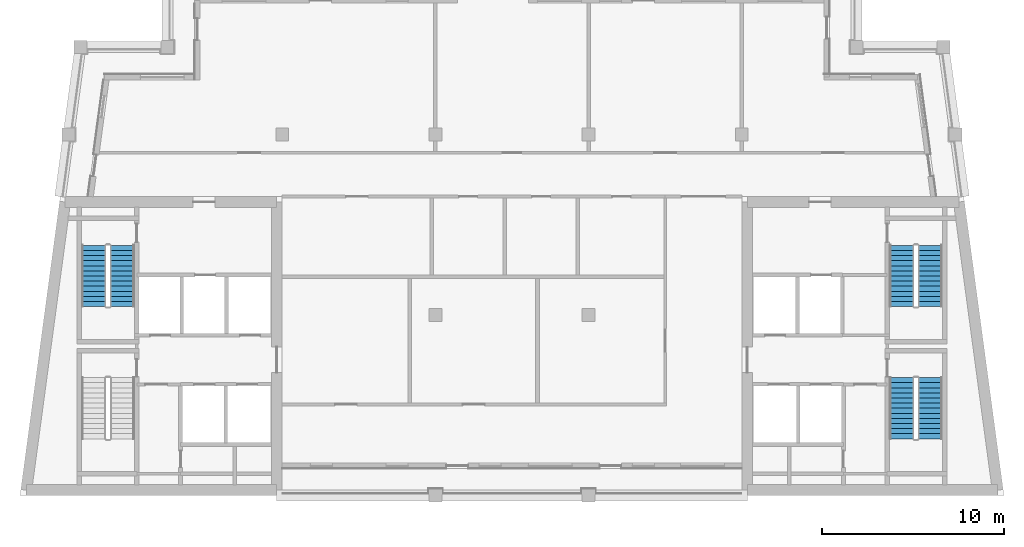
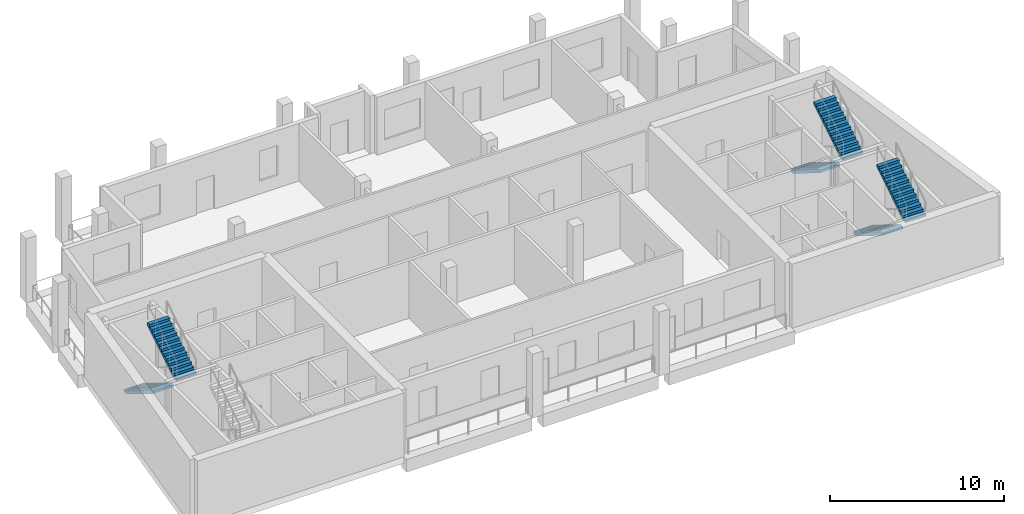
# One storey, part 5 of 8: 6 stair flights, 3 elements without a shape of their own.
"""IFC4 building model written with IfcOpenShell, lengths in metres."""

from ifc_helpers import new_model, si_unit, direction, frame, origin, place, context, subcontext, project, spatial, polyline, outline, extrude, material, type_object, element, aggregate, save


model = new_model("IFC4")

# Units and contexts
model_context = context("Model", 3, precision=1e-05, world=origin(), true_north=direction((0.0, 1.0)))
body_context = subcontext(model_context, "Body", "Model", "MODEL_VIEW")
ifc_project = project(units=[si_unit("LENGTHUNIT", "METRE"), si_unit("AREAUNIT", "SQUARE_METRE"), si_unit("VOLUMEUNIT", "CUBIC_METRE"), si_unit("PLANEANGLEUNIT", "RADIAN"), si_unit("MASSUNIT", "GRAM", prefix="KILO")], contexts=[model_context])

# Site, building, storey
site_placement = place(None, origin())
site = spatial("IfcSite", under=ifc_project, at=site_placement, CompositionType="ELEMENT")
building_placement = place(site_placement, origin())
building = spatial("IfcBuilding", under=site, at=building_placement, Name="Candeia Pilgrim Tower and Theatre", CompositionType="ELEMENT")
storey_placement = place(building_placement, frame((0.0, 0.0, 315.39990234375)))
storey = spatial("IfcBuildingStorey", under=building, at=storey_placement, Name="L76", CompositionType="ELEMENT", Elevation=315.39990234375)

# Stair, stair flights
ifc_material = material(Name="Concrete C40/50", Category="concrete")
stair_type = type_object("IfcStairType", Name="ST-TWR dog-leg escape stair", PredefinedType="HALF_TURN_STAIR", material=ifc_material)
stair_1_placement = place(storey_placement, origin())
stair_1 = element("IfcStair", 1, at=stair_1_placement, inside=storey, type_object=stair_type, Name="L76 Escape stair ST2", PredefinedType="HALF_TURN_STAIR")
stair_flight_type = type_object("IfcStairFlightType", Name="SFL-RC stair flight", PredefinedType="STRAIGHT", material=ifc_material)
stair_flight_1_placement = place(storey_placement, frame((90.47705078125, 129.72509765625, 0.0), z_axis=(0.0, 0.0, 1.0), x_axis=(0.0, -1.0, 0.0)))
stair_flight_1 = element("IfcStairFlight", 2, at=stair_flight_1_placement, type_object=stair_flight_type, Name="ST2 flight 1", NumberOfRisers=13, NumberOfTreads=12, PredefinedType="STRAIGHT", RiserHeight=0.173076923, TreadLength=0.28, context=body_context, shape_type="SweptSolid", body=[
    extrude(outline(polyline([(0.0, 0.0), (0.0, 0.173095703125), (0.280029296875, 0.173095703125), (0.280029296875, 0.34619140625), (0.56005859375, 0.34619140625), (0.56005859375, 0.519287109375), (0.840087890625, 0.519287109375), (0.840087890625, 0.6923828125), (1.1201171875, 0.6923828125), (1.1201171875, 0.865478515625), (1.39990234375, 0.865478515625), (1.39990234375, 1.03857421875), (1.679931640625, 1.03857421875), (1.679931640625, 1.21142578125), (1.9599609375, 1.21142578125), (1.9599609375, 1.384521484375), (2.239990234375, 1.384521484375), (2.239990234375, 1.5576171875), (2.52001953125, 1.5576171875), (2.52001953125, 1.730712890625), (2.800048828125, 1.730712890625), (2.800048828125, 1.90380859375), (3.080078125, 1.90380859375), (3.080078125, 2.076904296875), (3.360107421875, 2.076904296875), (3.360107421875, 2.25), (3.360107421875, 1.900634765625), (0.28515625, 0.0), (0.0, 0.0)])), frame((0.0, 0.675048828125, 0.0), z_axis=(0.0, -1.0, 0.0), x_axis=(1.0, 0.0, 0.0)), (0.0, 0.0, 1.0), 1.35009765625),
])
stair_flight_2_placement = place(storey_placement, frame((92.027099609375, 126.364990234375, 2.25), z_axis=(0.0, 0.0, 1.0), x_axis=(0.0, 1.0, 0.0)))
stair_flight_2 = element("IfcStairFlight", 3, at=stair_flight_2_placement, type_object=stair_flight_type, Name="ST2 flight 2", NumberOfRisers=13, NumberOfTreads=12, PredefinedType="STRAIGHT", RiserHeight=0.173076923, TreadLength=0.28, context=body_context, shape_type="SweptSolid", body=[
    extrude(outline(polyline([(0.0, 0.0), (0.0, 0.173095703125), (0.280029296875, 0.173095703125), (0.280029296875, 0.34619140625), (0.56005859375, 0.34619140625), (0.56005859375, 0.519287109375), (0.840087890625, 0.519287109375), (0.840087890625, 0.6923828125), (1.1201171875, 0.6923828125), (1.1201171875, 0.865478515625), (1.39990234375, 0.865478515625), (1.39990234375, 1.03857421875), (1.679931640625, 1.03857421875), (1.679931640625, 1.21142578125), (1.9599609375, 1.21142578125), (1.9599609375, 1.384521484375), (2.239990234375, 1.384521484375), (2.239990234375, 1.5576171875), (2.52001953125, 1.5576171875), (2.52001953125, 1.730712890625), (2.800048828125, 1.730712890625), (2.800048828125, 1.90380859375), (3.080078125, 1.90380859375), (3.080078125, 2.076904296875), (3.360107421875, 2.076904296875), (3.360107421875, 2.25), (3.360107421875, 1.900634765625), (0.28515625, 0.0), (0.0, 0.0)])), frame((0.0, 0.675048828125, 0.0), z_axis=(0.0, -1.0, 0.0), x_axis=(1.0, 0.0, 0.0)), (0.0, 0.0, 1.0), 1.35009765625),
])
aggregate(stair_1, [stair_flight_1, stair_flight_2])

stair_2_placement = place(storey_placement, origin())
stair_2 = element("IfcStair", 4, at=stair_2_placement, inside=storey, type_object=stair_type, Name="L76 Escape stair ST3", PredefinedType="HALF_TURN_STAIR")
stair_flight_3_placement = place(storey_placement, frame((134.77294921875, 122.47509765625, 0.0), z_axis=(0.0, 0.0, 1.0), x_axis=(0.0, -1.0, 0.0)))
stair_flight_3 = element("IfcStairFlight", 5, at=stair_flight_3_placement, type_object=stair_flight_type, Name="ST3 flight 1", NumberOfRisers=13, NumberOfTreads=12, PredefinedType="STRAIGHT", RiserHeight=0.173076923, TreadLength=0.28, context=body_context, shape_type="SweptSolid", body=[
    extrude(outline(polyline([(0.0, 0.0), (0.0, 0.173095703125), (0.280029296875, 0.173095703125), (0.280029296875, 0.34619140625), (0.56005859375, 0.34619140625), (0.56005859375, 0.519287109375), (0.840087890625, 0.519287109375), (0.840087890625, 0.6923828125), (1.1201171875, 0.6923828125), (1.1201171875, 0.865478515625), (1.39990234375, 0.865478515625), (1.39990234375, 1.03857421875), (1.679931640625, 1.03857421875), (1.679931640625, 1.21142578125), (1.9599609375, 1.21142578125), (1.9599609375, 1.384521484375), (2.239990234375, 1.384521484375), (2.239990234375, 1.5576171875), (2.52001953125, 1.5576171875), (2.52001953125, 1.730712890625), (2.800048828125, 1.730712890625), (2.800048828125, 1.90380859375), (3.080078125, 1.90380859375), (3.080078125, 2.076904296875), (3.360107421875, 2.076904296875), (3.360107421875, 2.25), (3.360107421875, 1.900634765625), (0.28515625, 0.0), (0.0, 0.0)])), frame((0.0, 0.675048828125, 0.0), z_axis=(0.0, -1.0, 0.0), x_axis=(1.0, 0.0, 0.0)), (0.0, 0.0, 1.0), 1.35009765625),
])
stair_flight_4_placement = place(storey_placement, frame((136.322998046875, 119.114990234375, 2.25), z_axis=(0.0, 0.0, 1.0), x_axis=(0.0, 1.0, 0.0)))
stair_flight_4 = element("IfcStairFlight", 6, at=stair_flight_4_placement, type_object=stair_flight_type, Name="ST3 flight 2", NumberOfRisers=13, NumberOfTreads=12, PredefinedType="STRAIGHT", RiserHeight=0.173076923, TreadLength=0.28, context=body_context, shape_type="SweptSolid", body=[
    extrude(outline(polyline([(0.0, 0.0), (0.0, 0.173095703125), (0.280029296875, 0.173095703125), (0.280029296875, 0.34619140625), (0.56005859375, 0.34619140625), (0.56005859375, 0.519287109375), (0.840087890625, 0.519287109375), (0.840087890625, 0.6923828125), (1.1201171875, 0.6923828125), (1.1201171875, 0.865478515625), (1.39990234375, 0.865478515625), (1.39990234375, 1.03857421875), (1.679931640625, 1.03857421875), (1.679931640625, 1.21142578125), (1.9599609375, 1.21142578125), (1.9599609375, 1.384521484375), (2.239990234375, 1.384521484375), (2.239990234375, 1.5576171875), (2.52001953125, 1.5576171875), (2.52001953125, 1.730712890625), (2.800048828125, 1.730712890625), (2.800048828125, 1.90380859375), (3.080078125, 1.90380859375), (3.080078125, 2.076904296875), (3.360107421875, 2.076904296875), (3.360107421875, 2.25), (3.360107421875, 1.900634765625), (0.28515625, 0.0), (0.0, 0.0)])), frame((0.0, 0.675048828125, 0.0), z_axis=(0.0, -1.0, 0.0), x_axis=(1.0, 0.0, 0.0)), (0.0, 0.0, 1.0), 1.35009765625),
])
aggregate(stair_2, [stair_flight_3, stair_flight_4])

stair_3_placement = place(storey_placement, origin())
stair_3 = element("IfcStair", 7, at=stair_3_placement, inside=storey, type_object=stair_type, Name="L76 Escape stair ST4", PredefinedType="HALF_TURN_STAIR")
stair_flight_5_placement = place(storey_placement, frame((134.77294921875, 129.72509765625, 0.0), z_axis=(0.0, 0.0, 1.0), x_axis=(0.0, -1.0, 0.0)))
stair_flight_5 = element("IfcStairFlight", 8, at=stair_flight_5_placement, type_object=stair_flight_type, Name="ST4 flight 1", NumberOfRisers=13, NumberOfTreads=12, PredefinedType="STRAIGHT", RiserHeight=0.173076923, TreadLength=0.28, context=body_context, shape_type="SweptSolid", body=[
    extrude(outline(polyline([(0.0, 0.0), (0.0, 0.173095703125), (0.280029296875, 0.173095703125), (0.280029296875, 0.34619140625), (0.56005859375, 0.34619140625), (0.56005859375, 0.519287109375), (0.840087890625, 0.519287109375), (0.840087890625, 0.6923828125), (1.1201171875, 0.6923828125), (1.1201171875, 0.865478515625), (1.39990234375, 0.865478515625), (1.39990234375, 1.03857421875), (1.679931640625, 1.03857421875), (1.679931640625, 1.21142578125), (1.9599609375, 1.21142578125), (1.9599609375, 1.384521484375), (2.239990234375, 1.384521484375), (2.239990234375, 1.5576171875), (2.52001953125, 1.5576171875), (2.52001953125, 1.730712890625), (2.800048828125, 1.730712890625), (2.800048828125, 1.90380859375), (3.080078125, 1.90380859375), (3.080078125, 2.076904296875), (3.360107421875, 2.076904296875), (3.360107421875, 2.25), (3.360107421875, 1.900634765625), (0.28515625, 0.0), (0.0, 0.0)])), frame((0.0, 0.675048828125, 0.0), z_axis=(0.0, -1.0, 0.0), x_axis=(1.0, 0.0, 0.0)), (0.0, 0.0, 1.0), 1.35009765625),
])
stair_flight_6_placement = place(storey_placement, frame((136.322998046875, 126.364990234375, 2.25), z_axis=(0.0, 0.0, 1.0), x_axis=(0.0, 1.0, 0.0)))
stair_flight_6 = element("IfcStairFlight", 9, at=stair_flight_6_placement, type_object=stair_flight_type, Name="ST4 flight 2", NumberOfRisers=13, NumberOfTreads=12, PredefinedType="STRAIGHT", RiserHeight=0.173076923, TreadLength=0.28, context=body_context, shape_type="SweptSolid", body=[
    extrude(outline(polyline([(0.0, 0.0), (0.0, 0.173095703125), (0.280029296875, 0.173095703125), (0.280029296875, 0.34619140625), (0.56005859375, 0.34619140625), (0.56005859375, 0.519287109375), (0.840087890625, 0.519287109375), (0.840087890625, 0.6923828125), (1.1201171875, 0.6923828125), (1.1201171875, 0.865478515625), (1.39990234375, 0.865478515625), (1.39990234375, 1.03857421875), (1.679931640625, 1.03857421875), (1.679931640625, 1.21142578125), (1.9599609375, 1.21142578125), (1.9599609375, 1.384521484375), (2.239990234375, 1.384521484375), (2.239990234375, 1.5576171875), (2.52001953125, 1.5576171875), (2.52001953125, 1.730712890625), (2.800048828125, 1.730712890625), (2.800048828125, 1.90380859375), (3.080078125, 1.90380859375), (3.080078125, 2.076904296875), (3.360107421875, 2.076904296875), (3.360107421875, 2.25), (3.360107421875, 1.900634765625), (0.28515625, 0.0), (0.0, 0.0)])), frame((0.0, 0.675048828125, 0.0), z_axis=(0.0, -1.0, 0.0), x_axis=(1.0, 0.0, 0.0)), (0.0, 0.0, 1.0), 1.35009765625),
])
aggregate(stair_3, [stair_flight_5, stair_flight_6])

save(model, "model.ifc")
